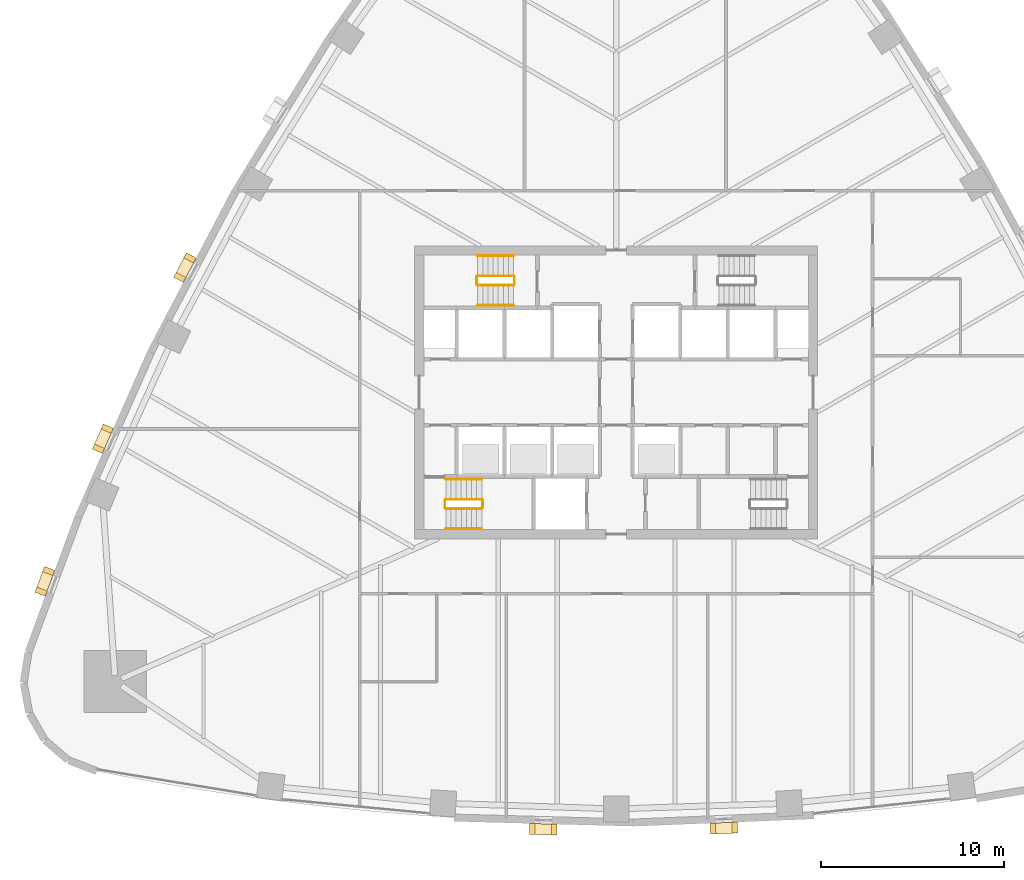
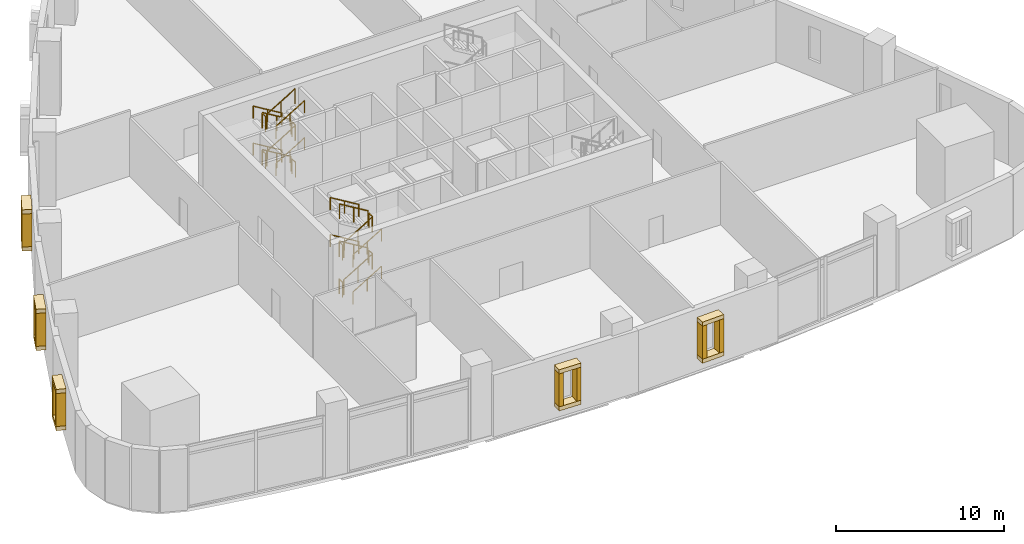
# One storey, part 11 of 14: 24 railings, 20 coverings.
"""IFC4 building model written with IfcOpenShell, lengths in metres."""

from ifc_helpers import new_model, si_unit, direction, frame, origin, origin_2d, place, context, subcontext, project, spatial, rectangle, circle, extrude, material, layer, layer_set, type_object, element, save


model = new_model("IFC4")

# Units and contexts
model_context = context("Model", 3, precision=1e-05, world=origin(), true_north=direction((0.0, 1.0)))
body_context = subcontext(model_context, "Body", "Model", "MODEL_VIEW")
ifc_project = project(units=[si_unit("LENGTHUNIT", "METRE"), si_unit("AREAUNIT", "SQUARE_METRE"), si_unit("VOLUMEUNIT", "CUBIC_METRE"), si_unit("PLANEANGLEUNIT", "RADIAN"), si_unit("MASSUNIT", "GRAM", prefix="KILO")], contexts=[model_context])

# Site, building, storey
site_placement = place(None, origin())
site = spatial("IfcSite", under=ifc_project, at=site_placement, CompositionType="ELEMENT")
building_placement = place(site_placement, origin())
building = spatial("IfcBuilding", under=site, at=building_placement, Name="Sierra Prisma Convention Tower", CompositionType="ELEMENT")
storey_placement = place(building_placement, frame((0.0, 0.0, 16.800048828125)))
storey = spatial("IfcBuildingStorey", under=building, at=storey_placement, Name="L02", CompositionType="ELEMENT", Elevation=16.800048828125)

# Railings
ifc_material_1 = material(Name="Stainless steel", Category="steel")
railing_type_1 = type_object("IfcRailingType", Name="Exit stair handrail", PredefinedType="HANDRAIL", material=ifc_material_1)
railing_1_placement = place(storey_placement, frame((-9.300048828125, -7.449951171875, 0.168701171875)))
element("IfcRailing", 1, at=railing_1_placement, inside=storey, type_object=railing_type_1, Name="L02 S1 stair handrail 1", PredefinedType="HANDRAIL", context=body_context, shape_type="SweptSolid", body=[
    extrude(circle(Radius=0.02392578125, at=origin_2d()), frame((0.0, 0.0, 0.8759765625), z_axis=(0.856493463811, 0.0, 0.516157869696), x_axis=(0.0, 1.0, 0.0)), (0.0, 0.0, 1.0), 2.288330078125),
    extrude(circle(Radius=0.02099609375, at=origin_2d()), origin(), (0.0, 0.0, 1.0), 0.851806640625),
    extrude(circle(Radius=0.02099609375, at=origin_2d()), frame((0.97998046875, 0.0, 0.590576171875)), (0.0, 0.0, 1.0), 0.851806640625),
    extrude(circle(Radius=0.02099609375, at=origin_2d()), frame((1.9599609375, 0.0, 1.18115234375)), (0.0, 0.0, 1.0), 0.851806640625),
])
railing_2_placement = place(storey_placement, frame((-7.340087890625, -4.75, 1.518798828125)))
element("IfcRailing", 2, at=railing_2_placement, inside=storey, type_object=railing_type_1, Name="L02 S1 stair handrail 2", PredefinedType="HANDRAIL", context=body_context, shape_type="SweptSolid", body=[
    extrude(circle(Radius=0.02392578125, at=origin_2d()), frame((0.0, 0.0, 0.8759765625), z_axis=(-0.856493463811, 0.0, 0.516157869696), x_axis=(0.0, -1.0, 0.0)), (0.0, 0.0, 1.0), 2.288330078125),
    extrude(circle(Radius=0.02099609375, at=origin_2d()), origin(), (0.0, 0.0, 1.0), 0.851806640625),
    extrude(circle(Radius=0.02099609375, at=origin_2d()), frame((-0.97998046875, 0.0, 0.590576171875)), (0.0, 0.0, 1.0), 0.851806640625),
    extrude(circle(Radius=0.02099609375, at=origin_2d()), frame((-1.9599609375, 0.0, 1.18115234375)), (0.0, 0.0, 1.0), 0.851806640625),
])
railing_3_placement = place(storey_placement, frame((-9.300048828125, -7.449951171875, 2.86865234375)))
element("IfcRailing", 3, at=railing_3_placement, inside=storey, type_object=railing_type_1, Name="L02 S1 stair handrail 3", PredefinedType="HANDRAIL", context=body_context, shape_type="SweptSolid", body=[
    extrude(circle(Radius=0.02392578125, at=origin_2d()), frame((0.0, 0.0, 0.8759765625), z_axis=(0.856446297458, 0.0, 0.516236127728), x_axis=(0.0, 1.0, 0.0)), (0.0, 0.0, 1.0), 2.28857421875),
    extrude(circle(Radius=0.02099609375, at=origin_2d()), origin(), (0.0, 0.0, 1.0), 0.851806640625),
    extrude(circle(Radius=0.02099609375, at=origin_2d()), frame((0.97998046875, 0.0, 0.5908203125)), (0.0, 0.0, 1.0), 0.851806640625),
    extrude(circle(Radius=0.02099609375, at=origin_2d()), frame((1.9599609375, 0.0, 1.181396484375)), (0.0, 0.0, 1.0), 0.851806640625),
])
for number, where, name in (
    (4, (-7.340087890625, -4.75, 4.21875), "L02 S1 stair handrail 4"),
    (5, (-5.60009765625, 7.449951171875, 0.168701171875), "L02 S3 stair handrail 1"),
):
    element("IfcRailing", number, at=place(storey_placement, frame(where)), inside=storey, type_object=railing_type_1, Name=name, PredefinedType="HANDRAIL", context=body_context, shape_type="SweptSolid", body=[
        extrude(circle(Radius=0.02392578125, at=origin_2d()), frame((0.0, 0.0, 0.8759765625), z_axis=(-0.856493463811, 0.0, 0.516157869696), x_axis=(0.0, -1.0, 0.0)), (0.0, 0.0, 1.0), 2.288330078125),
        extrude(circle(Radius=0.02099609375, at=origin_2d()), origin(), (0.0, 0.0, 1.0), 0.851806640625),
        extrude(circle(Radius=0.02099609375, at=origin_2d()), frame((-0.97998046875, 0.0, 0.590576171875)), (0.0, 0.0, 1.0), 0.851806640625),
        extrude(circle(Radius=0.02099609375, at=origin_2d()), frame((-1.9599609375, 0.0, 1.18115234375)), (0.0, 0.0, 1.0), 0.851806640625),
    ])
railing_4_placement = place(storey_placement, frame((-7.56005859375, 4.75, 1.518798828125)))
element("IfcRailing", 6, at=railing_4_placement, inside=storey, type_object=railing_type_1, Name="L02 S3 stair handrail 2", PredefinedType="HANDRAIL", context=body_context, shape_type="SweptSolid", body=[
    extrude(circle(Radius=0.02392578125, at=origin_2d()), frame((0.0, 0.0, 0.8759765625), z_axis=(0.856493463811, 0.0, 0.516157869696), x_axis=(0.0, 1.0, 0.0)), (0.0, 0.0, 1.0), 2.288330078125),
    extrude(circle(Radius=0.02099609375, at=origin_2d()), origin(), (0.0, 0.0, 1.0), 0.851806640625),
    extrude(circle(Radius=0.02099609375, at=origin_2d()), frame((0.97998046875, 0.0, 0.590576171875)), (0.0, 0.0, 1.0), 0.851806640625),
    extrude(circle(Radius=0.02099609375, at=origin_2d()), frame((1.9599609375, 0.0, 1.18115234375)), (0.0, 0.0, 1.0), 0.851806640625),
])
railing_5_placement = place(storey_placement, frame((-5.60009765625, 7.449951171875, 2.86865234375)))
element("IfcRailing", 7, at=railing_5_placement, inside=storey, type_object=railing_type_1, Name="L02 S3 stair handrail 3", PredefinedType="HANDRAIL", context=body_context, shape_type="SweptSolid", body=[
    extrude(circle(Radius=0.02392578125, at=origin_2d()), frame((0.0, 0.0, 0.8759765625), z_axis=(-0.856446297458, 0.0, 0.516236127728), x_axis=(0.0, -1.0, 0.0)), (0.0, 0.0, 1.0), 2.28857421875),
    extrude(circle(Radius=0.02099609375, at=origin_2d()), origin(), (0.0, 0.0, 1.0), 0.851806640625),
    extrude(circle(Radius=0.02099609375, at=origin_2d()), frame((-0.97998046875, 0.0, 0.5908203125)), (0.0, 0.0, 1.0), 0.851806640625),
    extrude(circle(Radius=0.02099609375, at=origin_2d()), frame((-1.9599609375, 0.0, 1.181396484375)), (0.0, 0.0, 1.0), 0.851806640625),
])
railing_6_placement = place(storey_placement, frame((-7.56005859375, 4.75, 4.21875)))
element("IfcRailing", 8, at=railing_6_placement, inside=storey, type_object=railing_type_1, Name="L02 S3 stair handrail 4", PredefinedType="HANDRAIL", context=body_context, shape_type="SweptSolid", body=[
    extrude(circle(Radius=0.02392578125, at=origin_2d()), frame((0.0, 0.0, 0.8759765625), z_axis=(0.856493463811, 0.0, 0.516157869696), x_axis=(0.0, 1.0, 0.0)), (0.0, 0.0, 1.0), 2.288330078125),
    extrude(circle(Radius=0.02099609375, at=origin_2d()), origin(), (0.0, 0.0, 1.0), 0.851806640625),
    extrude(circle(Radius=0.02099609375, at=origin_2d()), frame((0.97998046875, 0.0, 0.590576171875)), (0.0, 0.0, 1.0), 0.851806640625),
    extrude(circle(Radius=0.02099609375, at=origin_2d()), frame((1.9599609375, 0.0, 1.18115234375)), (0.0, 0.0, 1.0), 0.851806640625),
])

# Coverings
ifc_material_2 = material(Name="Lime plaster, terracotta pigment", Category="masonry")
ifc_layer = layer(ifc_material_2, 0.300048828125)
ifc_layer_set = layer_set([ifc_layer], Name="Plaster reveal frame")
covering_type = type_object("IfcCoveringType", Name="Plaster reveal frame", PredefinedType="CLADDING", material=ifc_layer_set)
for number, where, z_axis, x_axis, name in (
    (9, (-23.826904296875, 6.27587890625, 1.199951171875), (0.0, 0.0, 1.0), (0.464253182401, 0.885702536199, 0.0), "Window reveal jamb"),
    (10, (-23.27001953125, 7.3388671875, 1.199951171875), (0.0, 0.0, 1.0), (0.464253182401, 0.885702536199, 0.0), "Window reveal jamb"),
):
    element("IfcCovering", number, at=place(storey_placement, frame(where, z_axis=z_axis, x_axis=x_axis)), inside=storey, type_object=covering_type, Name=name, PredefinedType="CLADDING", context=body_context, shape_type="SweptSolid", body=[
        extrude(rectangle(XDim=0.300048828125, YDim=0.60009765625, at=origin_2d()), origin(), (0.0, 0.0, 1.0), 2.39990234375),
    ])
for number, where, z_axis, x_axis, name in (
    (11, (-23.54833984375, 6.8076171875, 3.60009765625), (0.0, 0.0, 1.0), (0.464253182401, 0.885702536199, 0.0), "Window reveal head"),
    (12, (-23.54833984375, 6.8076171875, 0.89990234375), (0.0, 0.0, 1.0), (0.464253182401, 0.885702536199, 0.0), "Window reveal sill"),
):
    element("IfcCovering", number, at=place(storey_placement, frame(where, z_axis=z_axis, x_axis=x_axis)), inside=storey, type_object=covering_type, Name=name, PredefinedType="CLADDING", context=body_context, shape_type="SweptSolid", body=[
        extrude(rectangle(XDim=1.5, YDim=0.60009765625, at=origin_2d()), origin(), (0.0, 0.0, 1.0), 0.300048828125),
    ])
for number, where, z_axis, x_axis, name in (
    (13, (-28.272216796875, -3.08251953125, 1.199951171875), (0.0, 0.0, 1.0), (0.402986304039, 0.915206008917, 0.0), "Window reveal jamb"),
    (14, (-27.788818359375, -1.984130859375, 1.199951171875), (0.0, 0.0, 1.0), (0.402986304039, 0.915206008917, 0.0), "Window reveal jamb"),
):
    element("IfcCovering", number, at=place(storey_placement, frame(where, z_axis=z_axis, x_axis=x_axis)), inside=storey, type_object=covering_type, Name=name, PredefinedType="CLADDING", context=body_context, shape_type="SweptSolid", body=[
        extrude(rectangle(XDim=0.300048828125, YDim=0.60009765625, at=origin_2d()), origin(), (0.0, 0.0, 1.0), 2.39990234375),
    ])
for number, where, z_axis, x_axis, name in (
    (15, (-28.030517578125, -2.533203125, 3.60009765625), (0.0, 0.0, 1.0), (0.402986304039, 0.915206008917, 0.0), "Window reveal head"),
    (16, (-28.030517578125, -2.533203125, 0.89990234375), (0.0, 0.0, 1.0), (0.402986304039, 0.915206008917, 0.0), "Window reveal sill"),
):
    element("IfcCovering", number, at=place(storey_placement, frame(where, z_axis=z_axis, x_axis=x_axis)), inside=storey, type_object=covering_type, Name=name, PredefinedType="CLADDING", context=body_context, shape_type="SweptSolid", body=[
        extrude(rectangle(XDim=1.5, YDim=0.60009765625, at=origin_2d()), origin(), (0.0, 0.0, 1.0), 0.300048828125),
    ])
for number, where, z_axis, x_axis, name in (
    (17, (-31.403564453125, -10.883544921875, 1.199951171875), (0.0, 0.0, 1.0), (0.346215302346, 0.938155085485, 0.0), "Window reveal jamb"),
    (18, (-30.988037109375, -9.7578125, 1.199951171875), (0.0, 0.0, 1.0), (0.346215302346, 0.938155085485, 0.0), "Window reveal jamb"),
):
    element("IfcCovering", number, at=place(storey_placement, frame(where, z_axis=z_axis, x_axis=x_axis)), inside=storey, type_object=covering_type, Name=name, PredefinedType="CLADDING", context=body_context, shape_type="SweptSolid", body=[
        extrude(rectangle(XDim=0.300048828125, YDim=0.60009765625, at=origin_2d()), origin(), (0.0, 0.0, 1.0), 2.39990234375),
    ])
for number, where, z_axis, x_axis, name in (
    (19, (-31.19580078125, -10.32080078125, 3.60009765625), (0.0, 0.0, 1.0), (0.346215302346, 0.938155085485, 0.0), "Window reveal head"),
    (20, (-31.19580078125, -10.32080078125, 0.89990234375), (0.0, 0.0, 1.0), (0.346215302346, 0.938155085485, 0.0), "Window reveal sill"),
):
    element("IfcCovering", number, at=place(storey_placement, frame(where, z_axis=z_axis, x_axis=x_axis)), inside=storey, type_object=covering_type, Name=name, PredefinedType="CLADDING", context=body_context, shape_type="SweptSolid", body=[
        extrude(rectangle(XDim=1.5, YDim=0.60009765625, at=origin_2d()), origin(), (0.0, 0.0, 1.0), 0.300048828125),
    ])
for number, where, z_axis, x_axis, name in (
    (21, (-3.382080078125, -23.878173828125, 1.199951171875), (0.0, 0.0, 1.0), (-0.999629934375, 0.027202836272, 0.0), "Window reveal jamb"),
    (22, (-4.58154296875, -23.845458984375, 1.199951171875), (0.0, 0.0, 1.0), (-0.999629934375, 0.027202836272, 0.0), "Window reveal jamb"),
):
    element("IfcCovering", number, at=place(storey_placement, frame(where, z_axis=z_axis, x_axis=x_axis)), inside=storey, type_object=covering_type, Name=name, PredefinedType="CLADDING", context=body_context, shape_type="SweptSolid", body=[
        extrude(rectangle(XDim=0.300048828125, YDim=0.60009765625, at=origin_2d()), origin(), (0.0, 0.0, 1.0), 2.39990234375),
    ])
for number, where, z_axis, x_axis, name in (
    (23, (-3.981689453125, -23.86181640625, 3.60009765625), (0.0, 0.0, 1.0), (-0.999629934375, 0.027202836272, 0.0), "Window reveal head"),
    (24, (-3.981689453125, -23.86181640625, 0.89990234375), (0.0, 0.0, 1.0), (-0.999629934375, 0.027202836272, 0.0), "Window reveal sill"),
):
    element("IfcCovering", number, at=place(storey_placement, frame(where, z_axis=z_axis, x_axis=x_axis)), inside=storey, type_object=covering_type, Name=name, PredefinedType="CLADDING", context=body_context, shape_type="SweptSolid", body=[
        extrude(rectangle(XDim=1.5, YDim=0.60009765625, at=origin_2d()), origin(), (0.0, 0.0, 1.0), 0.300048828125),
    ])
for number, where, z_axis, x_axis, name in (
    (25, (6.478271484375, -23.772705078125, 1.199951171875), (0.0, 0.0, 1.0), (-0.999167487746, -0.040796218352, 0.0), "Window reveal jamb"),
    (26, (5.279296875, -23.82177734375, 1.199951171875), (0.0, 0.0, 1.0), (-0.999167487746, -0.040796218352, 0.0), "Window reveal jamb"),
):
    element("IfcCovering", number, at=place(storey_placement, frame(where, z_axis=z_axis, x_axis=x_axis)), inside=storey, type_object=covering_type, Name=name, PredefinedType="CLADDING", context=body_context, shape_type="SweptSolid", body=[
        extrude(rectangle(XDim=0.300048828125, YDim=0.60009765625, at=origin_2d()), origin(), (0.0, 0.0, 1.0), 2.39990234375),
    ])
for number, where, z_axis, x_axis, name in (
    (27, (5.87890625, -23.79736328125, 3.60009765625), (0.0, 0.0, 1.0), (-0.999167487746, -0.040796218352, 0.0), "Window reveal head"),
    (28, (5.87890625, -23.79736328125, 0.89990234375), (0.0, 0.0, 1.0), (-0.999167487746, -0.040796218352, 0.0), "Window reveal sill"),
):
    element("IfcCovering", number, at=place(storey_placement, frame(where, z_axis=z_axis, x_axis=x_axis)), inside=storey, type_object=covering_type, Name=name, PredefinedType="CLADDING", context=body_context, shape_type="SweptSolid", body=[
        extrude(rectangle(XDim=1.5, YDim=0.60009765625, at=origin_2d()), origin(), (0.0, 0.0, 1.0), 0.300048828125),
    ])

# Railings
ifc_material_3 = material(Name="Stainless steel", Category="steel")
railing_type_2 = type_object("IfcRailingType", Name="Stair guard 1100", PredefinedType="GUARDRAIL", material=ifc_material_3)
railing_7_placement = place(storey_placement, frame((-9.300048828125, -6.35009765625, 0.168701171875)))
element("IfcRailing", 29, at=railing_7_placement, inside=storey, type_object=railing_type_2, Name="L02 S1 stair guard 1", PredefinedType="GUARDRAIL", context=body_context, shape_type="SweptSolid", body=[
    extrude(circle(Radius=0.02392578125, at=origin_2d()), frame((0.0, 0.0, 1.076171875), z_axis=(0.856493463811, 0.0, 0.516157869696), x_axis=(0.0, 1.0, 0.0)), (0.0, 0.0, 1.0), 2.288330078125),
    extrude(circle(Radius=0.02099609375, at=origin_2d()), origin(), (0.0, 0.0, 1.0), 1.052001953125),
    extrude(circle(Radius=0.02099609375, at=origin_2d()), frame((0.97998046875, 0.0, 0.590576171875)), (0.0, 0.0, 1.0), 1.052001953125),
    extrude(circle(Radius=0.02099609375, at=origin_2d()), frame((1.9599609375, 0.0, 1.18115234375)), (0.0, 0.0, 1.0), 1.052001953125),
])
railing_8_placement = place(storey_placement, frame((-7.2900390625, -6.300048828125, 1.349853515625)))
element("IfcRailing", 30, at=railing_8_placement, inside=storey, type_object=railing_type_2, Name="L02 S1 stair guard 2", PredefinedType="GUARDRAIL", context=body_context, shape_type="SweptSolid", body=[
    extrude(circle(Radius=0.02392578125, at=origin_2d()), frame((0.0, 0.0, 1.076171875), z_axis=(0.0, 1.0, 0.0), x_axis=(-1.0, 0.0, 0.0)), (0.0, 0.0, 1.0), 0.400146484375),
    extrude(circle(Radius=0.02099609375, at=origin_2d()), origin(), (0.0, 0.0, 1.0), 1.052001953125),
    extrude(circle(Radius=0.02099609375, at=origin_2d()), frame((0.0, 0.400146484375, 0.0)), (0.0, 0.0, 1.0), 1.052001953125),
])
railing_9_placement = place(storey_placement, frame((-7.340087890625, -5.85009765625, 1.518798828125)))
element("IfcRailing", 31, at=railing_9_placement, inside=storey, type_object=railing_type_2, Name="L02 S1 stair guard 3", PredefinedType="GUARDRAIL", context=body_context, shape_type="SweptSolid", body=[
    extrude(circle(Radius=0.02392578125, at=origin_2d()), frame((0.0, 0.0, 1.076171875), z_axis=(-0.856493463811, 0.0, 0.516157869696), x_axis=(0.0, -1.0, 0.0)), (0.0, 0.0, 1.0), 2.288330078125),
    extrude(circle(Radius=0.02099609375, at=origin_2d()), origin(), (0.0, 0.0, 1.0), 1.052001953125),
    extrude(circle(Radius=0.02099609375, at=origin_2d()), frame((-0.97998046875, 0.0, 0.590576171875)), (0.0, 0.0, 1.0), 1.052001953125),
    extrude(circle(Radius=0.02099609375, at=origin_2d()), frame((-1.9599609375, 0.0, 1.18115234375)), (0.0, 0.0, 1.0), 1.052001953125),
])
railing_10_placement = place(storey_placement, frame((-9.35009765625, -6.300048828125, 2.699951171875)))
element("IfcRailing", 32, at=railing_10_placement, inside=storey, type_object=railing_type_2, Name="L02 S1 stair guard 4", PredefinedType="GUARDRAIL", context=body_context, shape_type="SweptSolid", body=[
    extrude(circle(Radius=0.02392578125, at=origin_2d()), frame((0.0, 0.0, 1.076171875), z_axis=(0.0, 1.0, 0.0), x_axis=(-1.0, 0.0, 0.0)), (0.0, 0.0, 1.0), 0.400146484375),
    extrude(circle(Radius=0.02099609375, at=origin_2d()), origin(), (0.0, 0.0, 1.0), 1.052001953125),
    extrude(circle(Radius=0.02099609375, at=origin_2d()), frame((0.0, 0.400146484375, 0.0)), (0.0, 0.0, 1.0), 1.052001953125),
])
railing_11_placement = place(storey_placement, frame((-9.300048828125, -6.35009765625, 2.86865234375)))
element("IfcRailing", 33, at=railing_11_placement, inside=storey, type_object=railing_type_2, Name="L02 S1 stair guard 5", PredefinedType="GUARDRAIL", context=body_context, shape_type="SweptSolid", body=[
    extrude(circle(Radius=0.02392578125, at=origin_2d()), frame((0.0, 0.0, 1.076171875), z_axis=(0.856446297458, 0.0, 0.516236127728), x_axis=(0.0, 1.0, 0.0)), (0.0, 0.0, 1.0), 2.28857421875),
    extrude(circle(Radius=0.02099609375, at=origin_2d()), origin(), (0.0, 0.0, 1.0), 1.052001953125),
    extrude(circle(Radius=0.02099609375, at=origin_2d()), frame((0.97998046875, 0.0, 0.5908203125)), (0.0, 0.0, 1.0), 1.052001953125),
    extrude(circle(Radius=0.02099609375, at=origin_2d()), frame((1.9599609375, 0.0, 1.181396484375)), (0.0, 0.0, 1.0), 1.052001953125),
])
railing_12_placement = place(storey_placement, frame((-7.2900390625, -6.300048828125, 4.050048828125)))
element("IfcRailing", 34, at=railing_12_placement, inside=storey, type_object=railing_type_2, Name="L02 S1 stair guard 6", PredefinedType="GUARDRAIL", context=body_context, shape_type="SweptSolid", body=[
    extrude(circle(Radius=0.02392578125, at=origin_2d()), frame((0.0, 0.0, 1.076171875), z_axis=(0.0, 1.0, 0.0), x_axis=(-1.0, 0.0, 0.0)), (0.0, 0.0, 1.0), 0.400146484375),
    extrude(circle(Radius=0.02099609375, at=origin_2d()), origin(), (0.0, 0.0, 1.0), 1.052001953125),
    extrude(circle(Radius=0.02099609375, at=origin_2d()), frame((0.0, 0.400146484375, 0.0)), (0.0, 0.0, 1.0), 1.052001953125),
])
railing_13_placement = place(storey_placement, frame((-7.340087890625, -5.85009765625, 4.21875)))
element("IfcRailing", 35, at=railing_13_placement, inside=storey, type_object=railing_type_2, Name="L02 S1 stair guard 7", PredefinedType="GUARDRAIL", context=body_context, shape_type="SweptSolid", body=[
    extrude(circle(Radius=0.02392578125, at=origin_2d()), frame((0.0, 0.0, 1.076171875), z_axis=(-0.856493463811, 0.0, 0.516157869696), x_axis=(0.0, -1.0, 0.0)), (0.0, 0.0, 1.0), 2.288330078125),
    extrude(circle(Radius=0.02099609375, at=origin_2d()), origin(), (0.0, 0.0, 1.0), 1.052001953125),
    extrude(circle(Radius=0.02099609375, at=origin_2d()), frame((-0.97998046875, 0.0, 0.590576171875)), (0.0, 0.0, 1.0), 1.052001953125),
    extrude(circle(Radius=0.02099609375, at=origin_2d()), frame((-1.9599609375, 0.0, 1.18115234375)), (0.0, 0.0, 1.0), 1.052001953125),
])
railing_14_placement = place(storey_placement, frame((-9.35009765625, -6.300048828125, 0.0)))
element("IfcRailing", 36, at=railing_14_placement, inside=storey, type_object=railing_type_2, Name="L02 S1 stair guard 8", PredefinedType="GUARDRAIL", context=body_context, shape_type="SweptSolid", body=[
    extrude(circle(Radius=0.02392578125, at=origin_2d()), frame((0.0, 0.0, 1.076171875), z_axis=(0.0, 1.0, 0.0), x_axis=(-1.0, 0.0, 0.0)), (0.0, 0.0, 1.0), 0.400146484375),
    extrude(circle(Radius=0.02099609375, at=origin_2d()), origin(), (0.0, 0.0, 1.0), 1.052001953125),
    extrude(circle(Radius=0.02099609375, at=origin_2d()), frame((0.0, 0.400146484375, 0.0)), (0.0, 0.0, 1.0), 1.052001953125),
])
railing_15_placement = place(storey_placement, frame((-5.60009765625, 6.35009765625, 0.168701171875)))
element("IfcRailing", 37, at=railing_15_placement, inside=storey, type_object=railing_type_2, Name="L02 S3 stair guard 1", PredefinedType="GUARDRAIL", context=body_context, shape_type="SweptSolid", body=[
    extrude(circle(Radius=0.02392578125, at=origin_2d()), frame((0.0, 0.0, 1.076171875), z_axis=(-0.856493463811, 0.0, 0.516157869696), x_axis=(0.0, -1.0, 0.0)), (0.0, 0.0, 1.0), 2.288330078125),
    extrude(circle(Radius=0.02099609375, at=origin_2d()), origin(), (0.0, 0.0, 1.0), 1.052001953125),
    extrude(circle(Radius=0.02099609375, at=origin_2d()), frame((-0.97998046875, 0.0, 0.590576171875)), (0.0, 0.0, 1.0), 1.052001953125),
    extrude(circle(Radius=0.02099609375, at=origin_2d()), frame((-1.9599609375, 0.0, 1.18115234375)), (0.0, 0.0, 1.0), 1.052001953125),
])
railing_16_placement = place(storey_placement, frame((-7.610107421875, 6.300048828125, 1.349853515625)))
element("IfcRailing", 38, at=railing_16_placement, inside=storey, type_object=railing_type_2, Name="L02 S3 stair guard 2", PredefinedType="GUARDRAIL", context=body_context, shape_type="SweptSolid", body=[
    extrude(circle(Radius=0.02392578125, at=origin_2d()), frame((0.0, 0.0, 1.076171875), z_axis=(0.0, -1.0, 0.0), x_axis=(1.0, 0.0, 0.0)), (0.0, 0.0, 1.0), 0.400146484375),
    extrude(circle(Radius=0.02099609375, at=origin_2d()), origin(), (0.0, 0.0, 1.0), 1.052001953125),
    extrude(circle(Radius=0.02099609375, at=origin_2d()), frame((0.0, -0.400146484375, 0.0)), (0.0, 0.0, 1.0), 1.052001953125),
])
railing_17_placement = place(storey_placement, frame((-7.56005859375, 5.85009765625, 1.518798828125)))
element("IfcRailing", 39, at=railing_17_placement, inside=storey, type_object=railing_type_2, Name="L02 S3 stair guard 3", PredefinedType="GUARDRAIL", context=body_context, shape_type="SweptSolid", body=[
    extrude(circle(Radius=0.02392578125, at=origin_2d()), frame((0.0, 0.0, 1.076171875), z_axis=(0.856493463811, 0.0, 0.516157869696), x_axis=(0.0, 1.0, 0.0)), (0.0, 0.0, 1.0), 2.288330078125),
    extrude(circle(Radius=0.02099609375, at=origin_2d()), origin(), (0.0, 0.0, 1.0), 1.052001953125),
    extrude(circle(Radius=0.02099609375, at=origin_2d()), frame((0.97998046875, 0.0, 0.590576171875)), (0.0, 0.0, 1.0), 1.052001953125),
    extrude(circle(Radius=0.02099609375, at=origin_2d()), frame((1.9599609375, 0.0, 1.18115234375)), (0.0, 0.0, 1.0), 1.052001953125),
])
railing_18_placement = place(storey_placement, frame((-5.550048828125, 6.300048828125, 2.699951171875)))
element("IfcRailing", 40, at=railing_18_placement, inside=storey, type_object=railing_type_2, Name="L02 S3 stair guard 4", PredefinedType="GUARDRAIL", context=body_context, shape_type="SweptSolid", body=[
    extrude(circle(Radius=0.02392578125, at=origin_2d()), frame((0.0, 0.0, 1.076171875), z_axis=(0.0, -1.0, 0.0), x_axis=(1.0, 0.0, 0.0)), (0.0, 0.0, 1.0), 0.400146484375),
    extrude(circle(Radius=0.02099609375, at=origin_2d()), origin(), (0.0, 0.0, 1.0), 1.052001953125),
    extrude(circle(Radius=0.02099609375, at=origin_2d()), frame((0.0, -0.400146484375, 0.0)), (0.0, 0.0, 1.0), 1.052001953125),
])
railing_19_placement = place(storey_placement, frame((-5.60009765625, 6.35009765625, 2.86865234375)))
element("IfcRailing", 41, at=railing_19_placement, inside=storey, type_object=railing_type_2, Name="L02 S3 stair guard 5", PredefinedType="GUARDRAIL", context=body_context, shape_type="SweptSolid", body=[
    extrude(circle(Radius=0.02392578125, at=origin_2d()), frame((0.0, 0.0, 1.076171875), z_axis=(-0.856446297458, 0.0, 0.516236127728), x_axis=(0.0, -1.0, 0.0)), (0.0, 0.0, 1.0), 2.28857421875),
    extrude(circle(Radius=0.02099609375, at=origin_2d()), origin(), (0.0, 0.0, 1.0), 1.052001953125),
    extrude(circle(Radius=0.02099609375, at=origin_2d()), frame((-0.97998046875, 0.0, 0.5908203125)), (0.0, 0.0, 1.0), 1.052001953125),
    extrude(circle(Radius=0.02099609375, at=origin_2d()), frame((-1.9599609375, 0.0, 1.181396484375)), (0.0, 0.0, 1.0), 1.052001953125),
])
railing_20_placement = place(storey_placement, frame((-7.610107421875, 6.300048828125, 4.050048828125)))
element("IfcRailing", 42, at=railing_20_placement, inside=storey, type_object=railing_type_2, Name="L02 S3 stair guard 6", PredefinedType="GUARDRAIL", context=body_context, shape_type="SweptSolid", body=[
    extrude(circle(Radius=0.02392578125, at=origin_2d()), frame((0.0, 0.0, 1.076171875), z_axis=(0.0, -1.0, 0.0), x_axis=(1.0, 0.0, 0.0)), (0.0, 0.0, 1.0), 0.400146484375),
    extrude(circle(Radius=0.02099609375, at=origin_2d()), origin(), (0.0, 0.0, 1.0), 1.052001953125),
    extrude(circle(Radius=0.02099609375, at=origin_2d()), frame((0.0, -0.400146484375, 0.0)), (0.0, 0.0, 1.0), 1.052001953125),
])
railing_21_placement = place(storey_placement, frame((-7.56005859375, 5.85009765625, 4.21875)))
element("IfcRailing", 43, at=railing_21_placement, inside=storey, type_object=railing_type_2, Name="L02 S3 stair guard 7", PredefinedType="GUARDRAIL", context=body_context, shape_type="SweptSolid", body=[
    extrude(circle(Radius=0.02392578125, at=origin_2d()), frame((0.0, 0.0, 1.076171875), z_axis=(0.856493463811, 0.0, 0.516157869696), x_axis=(0.0, 1.0, 0.0)), (0.0, 0.0, 1.0), 2.288330078125),
    extrude(circle(Radius=0.02099609375, at=origin_2d()), origin(), (0.0, 0.0, 1.0), 1.052001953125),
    extrude(circle(Radius=0.02099609375, at=origin_2d()), frame((0.97998046875, 0.0, 0.590576171875)), (0.0, 0.0, 1.0), 1.052001953125),
    extrude(circle(Radius=0.02099609375, at=origin_2d()), frame((1.9599609375, 0.0, 1.18115234375)), (0.0, 0.0, 1.0), 1.052001953125),
])
railing_22_placement = place(storey_placement, frame((-5.550048828125, 6.300048828125, 0.0)))
element("IfcRailing", 44, at=railing_22_placement, inside=storey, type_object=railing_type_2, Name="L02 S3 stair guard 8", PredefinedType="GUARDRAIL", context=body_context, shape_type="SweptSolid", body=[
    extrude(circle(Radius=0.02392578125, at=origin_2d()), frame((0.0, 0.0, 1.076171875), z_axis=(0.0, -1.0, 0.0), x_axis=(1.0, 0.0, 0.0)), (0.0, 0.0, 1.0), 0.400146484375),
    extrude(circle(Radius=0.02099609375, at=origin_2d()), origin(), (0.0, 0.0, 1.0), 1.052001953125),
    extrude(circle(Radius=0.02099609375, at=origin_2d()), frame((0.0, -0.400146484375, 0.0)), (0.0, 0.0, 1.0), 1.052001953125),
])

save(model, "model.ifc")
